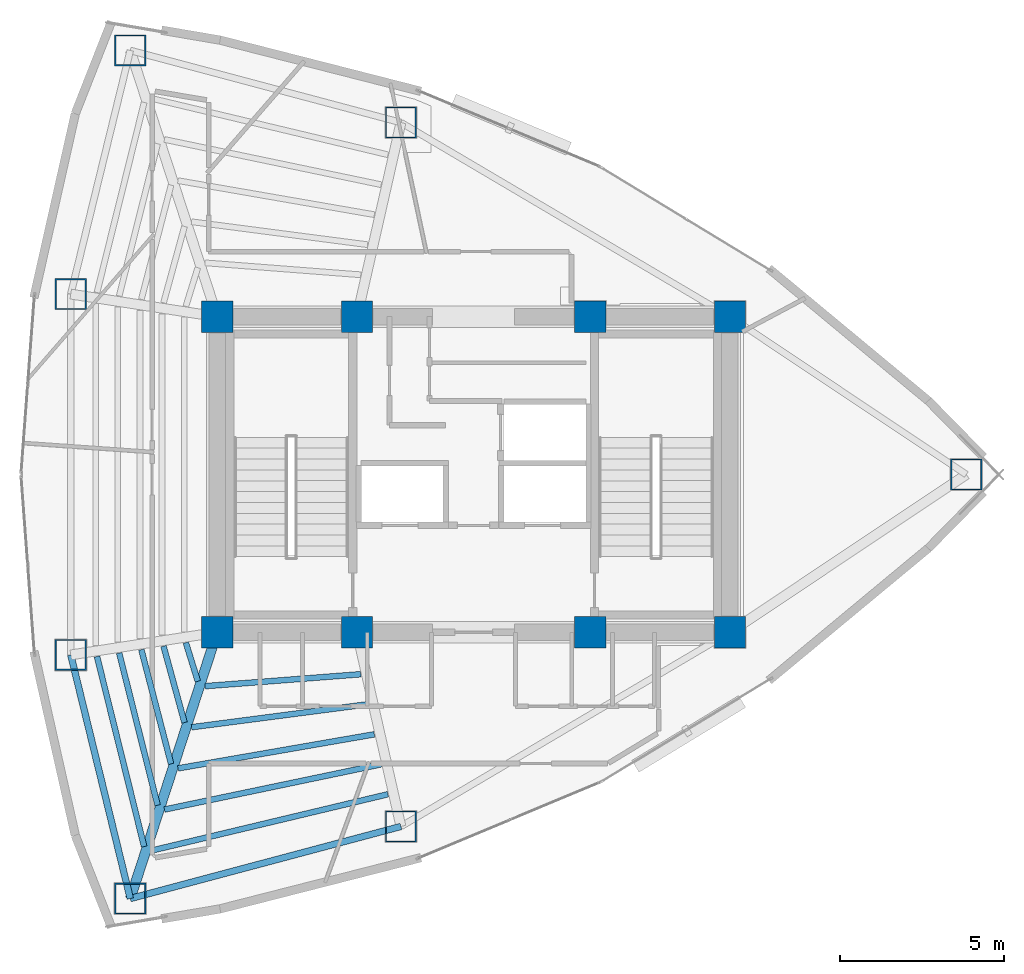
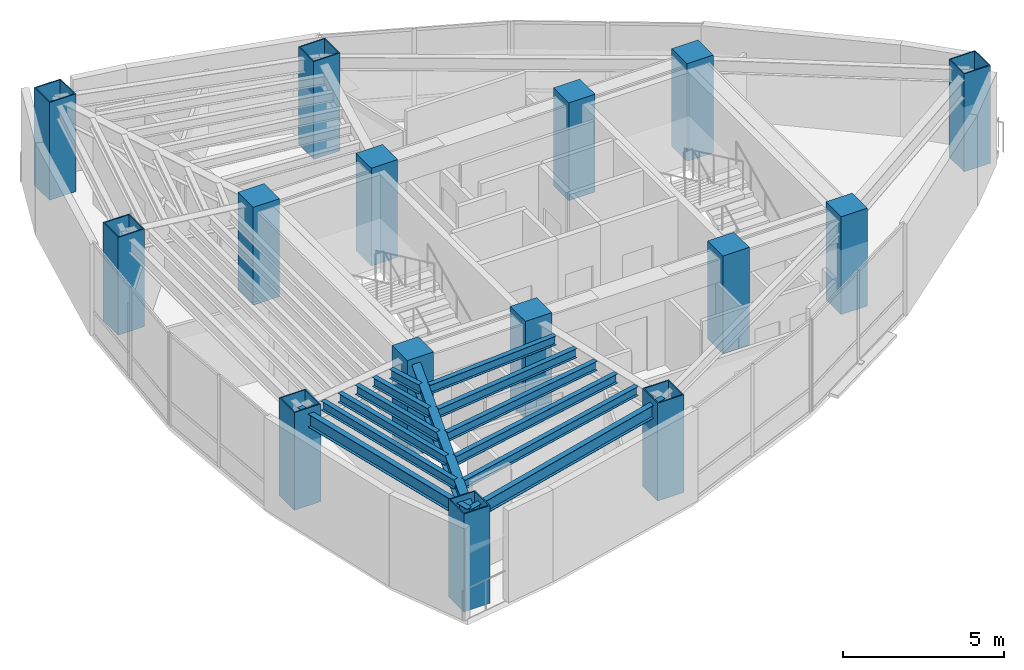
# One storey, part 1 of 15: 15 columns, 13 beams.
"""IFC4 building model written with IfcOpenShell, lengths in metres."""

from ifc_helpers import new_model, si_unit, direction, frame, origin, origin_2d, place, context, subcontext, project, spatial, rectangle, hollow_rectangle, i_section, extrude, material, material_profile, profile_set, type_object, element, save


model = new_model("IFC4")

# Units and contexts
model_context = context("Model", 3, precision=1e-05, world=origin(), true_north=direction((0.0, 1.0)))
body_context = subcontext(model_context, "Body", "Model", "MODEL_VIEW")
ifc_project = project(units=[si_unit("LENGTHUNIT", "METRE"), si_unit("AREAUNIT", "SQUARE_METRE"), si_unit("VOLUMEUNIT", "CUBIC_METRE"), si_unit("PLANEANGLEUNIT", "RADIAN"), si_unit("MASSUNIT", "GRAM", prefix="KILO")], contexts=[model_context])

# Site, building, storey
site_placement = place(None, origin())
site = spatial("IfcSite", under=ifc_project, at=site_placement, CompositionType="ELEMENT")
building_placement = place(site_placement, origin())
building = spatial("IfcBuilding", under=site, at=building_placement, Name="Menara Vayukalpa", CompositionType="ELEMENT")
storey_placement = place(building_placement, frame((0.0, 0.0, 226.97998046875)))
storey = spatial("IfcBuildingStorey", under=building, at=storey_placement, Name="L57", CompositionType="ELEMENT", Elevation=226.97998046875)

# Columns
ifc_material_1 = material(Name="Concrete C60/75", Category="concrete")
ifc_material_profile_1 = material_profile(ifc_material_1, rectangle(XDim=0.949951171875, YDim=0.949951171875, at=origin_2d()), Name="RC 950x950")
ifc_profile_set_1 = profile_set([ifc_material_profile_1], Name="Concrete C60/75")
column_type_1 = type_object("IfcColumnType", Name="COL-CC2", PredefinedType="COLUMN", material=ifc_profile_set_1)
for number, where, z_axis, x_axis, name in (
    (1, (17.800048828125, 17.199951171875, 0.0), (0.0, 0.0, 1.0), (1.0, 0.0, 0.0), "L57 Core Pilaster Column CC1"),
    (2, (22.050048828125, 17.199951171875, 0.0), (0.0, 0.0, 1.0), (1.0, 0.0, 0.0), "L57 Core Pilaster Column CC2"),
    (3, (29.14990234375, 17.199951171875, 0.0), (0.0, 0.0, 1.0), (1.0, 0.0, 0.0), "L57 Core Pilaster Column CC3"),
    (4, (33.39990234375, 17.199951171875, 0.0), (0.0, 0.0, 1.0), (1.0, 0.0, 0.0), "L57 Core Pilaster Column CC4"),
    (5, (17.800048828125, 26.800048828125, 0.0), (0.0, 0.0, 1.0), (1.0, 0.0, 0.0), "L57 Core Pilaster Column CC5"),
    (6, (22.050048828125, 26.800048828125, 0.0), (0.0, 0.0, 1.0), (1.0, 0.0, 0.0), "L57 Core Pilaster Column CC6"),
    (7, (29.14990234375, 26.800048828125, 0.0), (0.0, 0.0, 1.0), (1.0, 0.0, 0.0), "L57 Core Pilaster Column CC7"),
    (8, (33.39990234375, 26.800048828125, 0.0), (0.0, 0.0, 1.0), (1.0, 0.0, 0.0), "L57 Core Pilaster Column CC8"),
):
    element("IfcColumn", number, at=place(storey_placement, frame(where, z_axis=z_axis, x_axis=x_axis)), inside=storey, type_object=column_type_1, Name=name, PredefinedType="COLUMN", context=body_context, shape_type="SweptSolid", body=[
        extrude(rectangle(XDim=0.949951171875, YDim=0.949951171875, at=origin_2d()), origin(), (0.0, 0.0, 1.0), 3.719970703125),
    ])
ifc_material_2 = material(Name="Steel S460", Category="steel")
ifc_material_profile_2 = material_profile(ifc_material_2, hollow_rectangle(XDim=0.949951171875, YDim=0.949951171875, WallThickness=0.0400390625, at=origin_2d()), Name="BOX 950x950x40")
ifc_profile_set_2 = profile_set([ifc_material_profile_2], Name="Steel S460")
column_type_2 = type_object("IfcColumnType", Name="COL-MC4", PredefinedType="COLUMN", material=ifc_profile_set_2)
for number, where, z_axis, x_axis, name in (
    (9, (40.590576171875, 22.0, 0.0), (0.0, 0.0, 1.0), (1.0, 0.0, 0.0), "L57 Perimeter Mega Column P01"),
    (10, (23.389404296875, 32.70849609375, 0.0), (0.0, 0.0, 1.0), (1.0, 0.0, 0.0), "L57 Perimeter Mega Column P03"),
    (11, (15.15478515625, 34.902587890625, 0.0), (0.0, 0.0, 1.0), (1.0, 0.0, 0.0), "L57 Perimeter Mega Column P04"),
    (12, (13.343994140625, 27.4892578125, 0.0), (0.0, 0.0, 1.0), (1.0, 0.0, 0.0), "L57 Perimeter Mega Column P05"),
    (13, (13.343994140625, 16.5107421875, 0.0), (0.0, 0.0, 1.0), (1.0, 0.0, 0.0), "L57 Perimeter Mega Column P06"),
    (14, (15.15478515625, 9.097412109375, 0.0), (0.0, 0.0, 1.0), (1.0, 0.0, 0.0), "L57 Perimeter Mega Column P07"),
    (15, (23.389404296875, 11.29150390625, 0.0), (0.0, 0.0, 1.0), (1.0, 0.0, 0.0), "L57 Perimeter Mega Column P08"),
):
    element("IfcColumn", number, at=place(storey_placement, frame(where, z_axis=z_axis, x_axis=x_axis)), inside=storey, type_object=column_type_2, Name=name, PredefinedType="COLUMN", context=body_context, shape_type="SweptSolid", body=[
        extrude(hollow_rectangle(XDim=0.949951171875, YDim=0.949951171875, WallThickness=0.0400390625, at=origin_2d()), origin(), (0.0, 0.0, 1.0), 3.719970703125),
    ])

# Beams
ifc_material_3 = material(Name="Steel S355", Category="steel")
ifc_material_profile_3 = material_profile(ifc_material_3, i_section(OverallWidth=0.300048828125, OverallDepth=0.699951171875, WebThickness=0.012939453125, FlangeThickness=0.02392578125, at=origin_2d()), Name="WF 700x300x13x24")
ifc_profile_set_3 = profile_set([ifc_material_profile_3], Name="Steel S355")
beam_type_1 = type_object("IfcBeamType", Name="BM-PG5", PredefinedType="BEAM", material=ifc_profile_set_3)
beam_1_placement = place(storey_placement, frame((17.722412109375, 16.96240234375, 3.14990234375), z_axis=(-0.310343552153, -0.950624468251, 0.0), x_axis=(0.950624468251, -0.310343552153, 0.0)))
element("IfcBeam", 16, at=beam_1_placement, inside=storey, type_object=beam_type_1, Name="L57 Primary Radial Girder RG07", PredefinedType="BEAM", context=body_context, shape_type="SweptSolid", body=[
    extrude(i_section(OverallWidth=0.300048828125, OverallDepth=0.699951171875, WebThickness=0.012939453125, FlangeThickness=0.02392578125, at=origin_2d()), origin(), (0.0, 0.0, 1.0), 8.2734375),
])
ifc_material_4 = material(Name="Steel S355", Category="steel")
ifc_material_profile_4 = material_profile(ifc_material_4, i_section(OverallWidth=0.175048828125, OverallDepth=0.35009765625, WebThickness=0.007080078125, FlangeThickness=0.010986328125, at=origin_2d()), Name="WF 350x175x7x11")
ifc_profile_set_4 = profile_set([ifc_material_profile_4], Name="Steel S355")
beam_type_2 = type_object("IfcBeamType", Name="BM-SJ3", PredefinedType="JOIST", material=ifc_profile_set_4)
beam_2_placement = place(storey_placement, frame((16.845703125, 16.88232421875, 3.324951171875), z_axis=(0.296305452853, -0.955093230323, 0.0), x_axis=(0.955093230323, 0.296305452853, 0.0)))
element("IfcBeam", 17, at=beam_2_placement, inside=storey, type_object=beam_type_2, Name="L57 Secondary Floor Joist SJ06-1", PredefinedType="JOIST", context=body_context, shape_type="SweptSolid", body=[
    extrude(i_section(OverallWidth=0.175048828125, OverallDepth=0.35009765625, WebThickness=0.007080078125, FlangeThickness=0.010986328125, at=origin_2d()), origin(), (0.0, 0.0, 1.0), 1.228515625),
])
beam_3_placement = place(storey_placement, frame((16.166748046875, 16.776611328125, 3.324951171875), z_axis=(0.264565534661, -0.964367708848, 0.0), x_axis=(0.964367708848, 0.264565534661, 0.0)))
element("IfcBeam", 18, at=beam_3_placement, inside=storey, type_object=beam_type_2, Name="L57 Secondary Floor Joist SJ06-2", PredefinedType="JOIST", context=body_context, shape_type="SweptSolid", body=[
    extrude(i_section(OverallWidth=0.175048828125, OverallDepth=0.35009765625, WebThickness=0.007080078125, FlangeThickness=0.010986328125, at=origin_2d()), origin(), (0.0, 0.0, 1.0), 2.410400390625),
])
beam_4_placement = place(storey_placement, frame((15.4912109375, 16.671875, 3.324951171875), z_axis=(0.251733131911, -0.967796688514, 0.0), x_axis=(0.967796688514, 0.251733131911, 0.0)))
element("IfcBeam", 19, at=beam_4_placement, inside=storey, type_object=beam_type_2, Name="L57 Secondary Floor Joist SJ06-3", PredefinedType="JOIST", context=body_context, shape_type="SweptSolid", body=[
    extrude(i_section(OverallWidth=0.175048828125, OverallDepth=0.35009765625, WebThickness=0.007080078125, FlangeThickness=0.010986328125, at=origin_2d()), origin(), (0.0, 0.0, 1.0), 3.59326171875),
])
beam_5_placement = place(storey_placement, frame((14.816650390625, 16.5673828125, 3.324951171875), z_axis=(0.24483203065, -0.969565509271, 0.0), x_axis=(0.969565509271, 0.24483203065, 0.0)))
element("IfcBeam", 20, at=beam_5_placement, inside=storey, type_object=beam_type_2, Name="L57 Secondary Floor Joist SJ06-4", PredefinedType="JOIST", context=body_context, shape_type="SweptSolid", body=[
    extrude(i_section(OverallWidth=0.175048828125, OverallDepth=0.35009765625, WebThickness=0.007080078125, FlangeThickness=0.010986328125, at=origin_2d()), origin(), (0.0, 0.0, 1.0), 4.7763671875),
])
beam_6_placement = place(storey_placement, frame((14.142578125, 16.462890625, 3.324951171875), z_axis=(0.240539929987, -0.970639244046, 0.0), x_axis=(0.970639244046, 0.240539929987, 0.0)))
element("IfcBeam", 21, at=beam_6_placement, inside=storey, type_object=beam_type_2, Name="L57 Secondary Floor Joist SJ06-5", PredefinedType="JOIST", context=body_context, shape_type="SweptSolid", body=[
    extrude(i_section(OverallWidth=0.175048828125, OverallDepth=0.35009765625, WebThickness=0.007080078125, FlangeThickness=0.010986328125, at=origin_2d()), origin(), (0.0, 0.0, 1.0), 5.9599609375),
])
beam_7_placement = place(storey_placement, frame((17.4296875, 15.5595703125, 3.324951171875), z_axis=(0.997060829559, 0.076613981492, 0.0), x_axis=(-0.076613981492, 0.997060829559, 0.0)))
element("IfcBeam", 22, at=beam_7_placement, inside=storey, type_object=beam_type_2, Name="L57 Secondary Floor Joist SJ07-1", PredefinedType="JOIST", context=body_context, shape_type="SweptSolid", body=[
    extrude(i_section(OverallWidth=0.175048828125, OverallDepth=0.35009765625, WebThickness=0.007080078125, FlangeThickness=0.010986328125, at=origin_2d()), origin(), (0.0, 0.0, 1.0), 4.751220703125),
])
beam_8_placement = place(storey_placement, frame((17.01806640625, 14.310302734375, 3.324951171875), z_axis=(0.991612506825, 0.129246417005, 0.0), x_axis=(-0.129246417005, 0.991612506825, 0.0)))
element("IfcBeam", 23, at=beam_8_placement, inside=storey, type_object=beam_type_2, Name="L57 Secondary Floor Joist SJ07-2", PredefinedType="JOIST", context=body_context, shape_type="SweptSolid", body=[
    extrude(i_section(OverallWidth=0.175048828125, OverallDepth=0.35009765625, WebThickness=0.007080078125, FlangeThickness=0.010986328125, at=origin_2d()), origin(), (0.0, 0.0, 1.0), 5.400634765625),
])
beam_9_placement = place(storey_placement, frame((16.606201171875, 13.058837890625, 3.324951171875), z_axis=(0.985288498293, 0.170899312848, 0.0), x_axis=(-0.170899312848, 0.985288498293, 0.0)))
element("IfcBeam", 24, at=beam_9_placement, inside=storey, type_object=beam_type_2, Name="L57 Secondary Floor Joist SJ07-3", PredefinedType="JOIST", context=body_context, shape_type="SweptSolid", body=[
    extrude(i_section(OverallWidth=0.175048828125, OverallDepth=0.35009765625, WebThickness=0.007080078125, FlangeThickness=0.010986328125, at=origin_2d()), origin(), (0.0, 0.0, 1.0), 6.062744140625),
])
beam_10_placement = place(storey_placement, frame((16.194091796875, 11.80615234375, 3.324951171875), z_axis=(0.978881984699, 0.204426172569, 0.0), x_axis=(-0.204426172569, 0.978881984699, 0.0)))
element("IfcBeam", 25, at=beam_10_placement, inside=storey, type_object=beam_type_2, Name="L57 Secondary Floor Joist SJ07-4", PredefinedType="JOIST", context=body_context, shape_type="SweptSolid", body=[
    extrude(i_section(OverallWidth=0.175048828125, OverallDepth=0.35009765625, WebThickness=0.007080078125, FlangeThickness=0.010986328125, at=origin_2d()), origin(), (0.0, 0.0, 1.0), 6.734619140625),
])
beam_11_placement = place(storey_placement, frame((15.7822265625, 10.552490234375, 3.324951171875), z_axis=(0.972733016713, 0.23192774348, 0.0), x_axis=(-0.23192774348, 0.972733016713, 0.0)))
element("IfcBeam", 26, at=beam_11_placement, inside=storey, type_object=beam_type_2, Name="L57 Secondary Floor Joist SJ07-5", PredefinedType="JOIST", context=body_context, shape_type="SweptSolid", body=[
    extrude(i_section(OverallWidth=0.175048828125, OverallDepth=0.35009765625, WebThickness=0.007080078125, FlangeThickness=0.010986328125, at=origin_2d()), origin(), (0.0, 0.0, 1.0), 7.412841796875),
])
ifc_material_5 = material(Name="Steel S355", Category="steel")
ifc_material_profile_5 = material_profile(ifc_material_5, i_section(OverallWidth=0.199951171875, OverallDepth=0.5, WebThickness=0.010009765625, FlangeThickness=0.01611328125, at=origin_2d()), Name="WF 500x200x10x16")
ifc_profile_set_5 = profile_set([ifc_material_profile_5], Name="Steel S355")
beam_type_3 = type_object("IfcBeamType", Name="BM-SP3", PredefinedType="SPANDREL", material=ifc_profile_set_5)
beam_12_placement = place(storey_placement, frame((13.343994140625, 16.5107421875, 3.25), z_axis=(0.237285374413, -0.971439988414, 0.0), x_axis=(0.971439988414, 0.237285374413, 0.0)))
element("IfcBeam", 27, at=beam_12_placement, inside=storey, type_object=beam_type_3, Name="L57 Perimeter Spandrel Beam SP06", PredefinedType="SPANDREL", context=body_context, shape_type="SweptSolid", body=[
    extrude(i_section(OverallWidth=0.199951171875, OverallDepth=0.5, WebThickness=0.010009765625, FlangeThickness=0.01611328125, at=origin_2d()), origin(), (0.0, 0.0, 1.0), 7.63134765625),
])
beam_13_placement = place(storey_placement, frame((15.15478515625, 9.097412109375, 3.25), z_axis=(0.966287699272, 0.25746472037, 0.0), x_axis=(-0.25746472037, 0.966287699272, 0.0)))
element("IfcBeam", 28, at=beam_13_placement, inside=storey, type_object=beam_type_3, Name="L57 Perimeter Spandrel Beam SP07", PredefinedType="SPANDREL", context=body_context, shape_type="SweptSolid", body=[
    extrude(i_section(OverallWidth=0.199951171875, OverallDepth=0.5, WebThickness=0.010009765625, FlangeThickness=0.01611328125, at=origin_2d()), origin(), (0.0, 0.0, 1.0), 8.52197265625),
])

save(model, "model.ifc")
